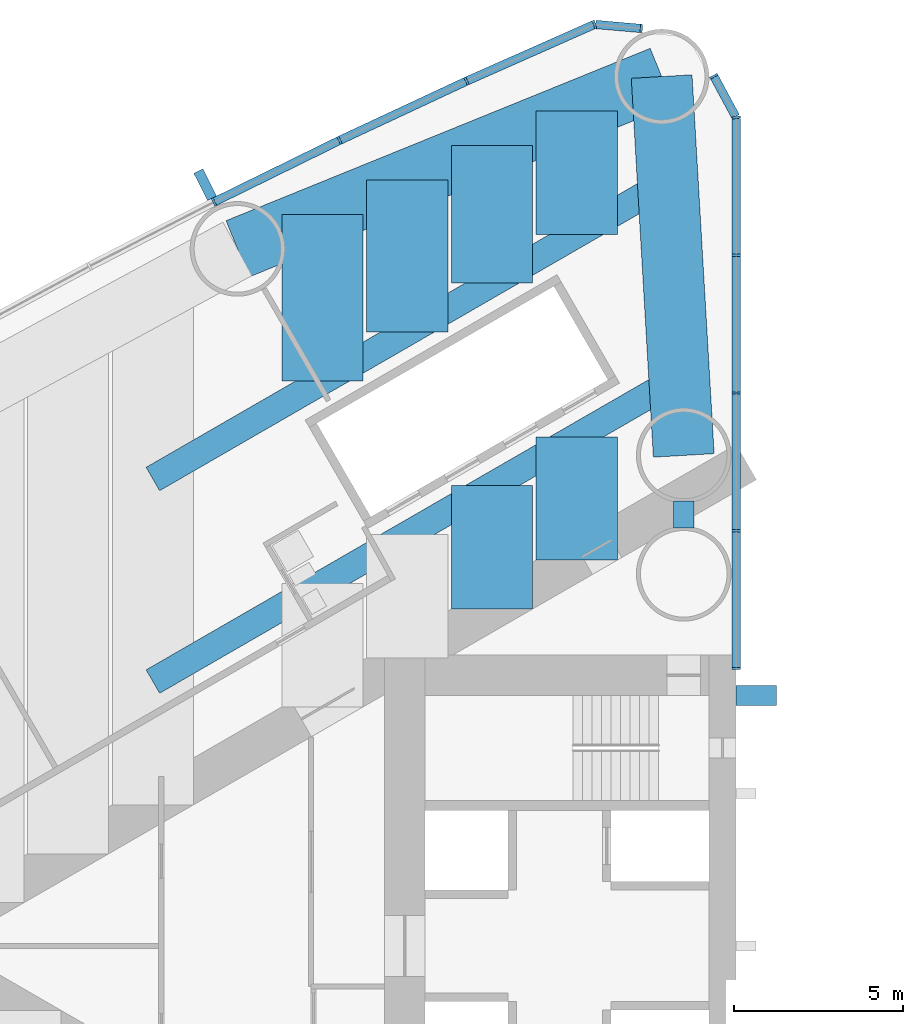
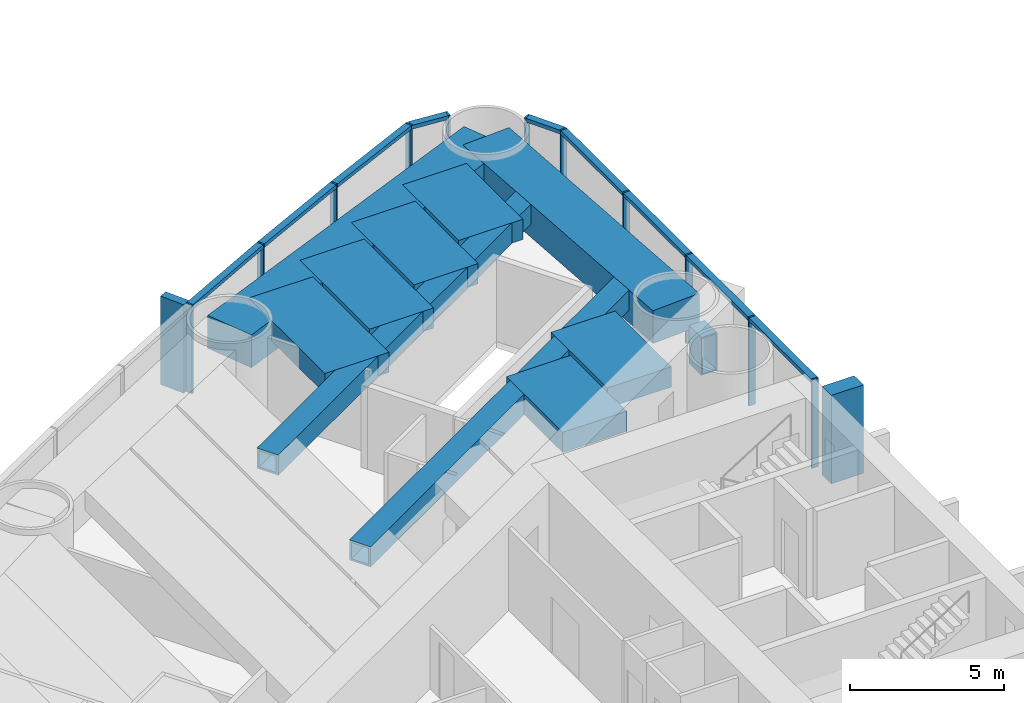
# One storey, part 5 of 19: 22 members, 11 beams, 2 elements without a shape of their own.
"""IFC4 building model written with IfcOpenShell, lengths in metres."""

from ifc_helpers import new_model, si_unit, direction, frame, origin, origin_2d, place, context, subcontext, project, spatial, rectangle, hollow_rectangle, extrude, material, material_profile, profile_set, type_object, element, aggregate, save


model = new_model("IFC4")

# Units and contexts
model_context = context("Model", 3, precision=1e-05, world=origin(), true_north=direction((0.0, 1.0)))
body_context = subcontext(model_context, "Body", "Model", "MODEL_VIEW")
ifc_project = project(units=[si_unit("LENGTHUNIT", "METRE"), si_unit("AREAUNIT", "SQUARE_METRE"), si_unit("VOLUMEUNIT", "CUBIC_METRE"), si_unit("PLANEANGLEUNIT", "RADIAN"), si_unit("MASSUNIT", "GRAM", prefix="KILO")], contexts=[model_context])

# Site, building, storey
site_placement = place(None, origin())
site = spatial("IfcSite", under=ifc_project, at=site_placement, CompositionType="ELEMENT")
building_placement = place(site_placement, origin())
building = spatial("IfcBuilding", under=site, at=building_placement, Name="Lancet Gate Hotel", CompositionType="ELEMENT")
storey_placement = place(building_placement, frame((0.0, 0.0, 35.5)))
storey = spatial("IfcBuildingStorey", under=building, at=storey_placement, Name="L08", CompositionType="ELEMENT", Elevation=35.5)

# Curtain wall, members
ifc_material_1 = material(Name="Aluminium curtain wall", Category="aluminium")
curtain_wall_type = type_object("IfcCurtainWallType", Name="Tower unitised curtain wall", PredefinedType="USERDEFINED", material=ifc_material_1)
curtain_wall_1_placement = place(storey_placement, origin())
curtain_wall_1 = element("IfcCurtainWall", 1, at=curtain_wall_1_placement, inside=storey, type_object=curtain_wall_type, Name="T1 L08 curtain wall 1", ObjectType="UNITISED CURTAIN WALL", PredefinedType="USERDEFINED")
ifc_material_2 = material(Name="Aluminium mullion", Category="aluminium")
ifc_material_profile_1 = material_profile(ifc_material_2, rectangle(XDim=0.06494140625, YDim=0.25, at=origin_2d()), Name="MULLION 65x250")
ifc_profile_set_1 = profile_set([ifc_material_profile_1], Name="Aluminium mullion")
member_type_1 = type_object("IfcMemberType", Name="Aluminium mullion 65x250", PredefinedType="MULLION", material=ifc_profile_set_1)
member_1_placement = place(storey_placement, frame((-27.5, 8.199951171875, 0.0), z_axis=(0.0, 0.0, 1.0), x_axis=(0.0, 1.0, 0.0)))
member_1 = element("IfcMember", 2, at=member_1_placement, type_object=member_type_1, Name="T1 L08 curtain wall 1 mullion 1", PredefinedType="MULLION", context=body_context, shape_type="SweptSolid", body=[
    extrude(rectangle(XDim=0.06494140625, YDim=0.25, at=origin_2d()), origin(), (0.0, 0.0, 1.0), 3.5),
])
member_2_placement = place(storey_placement, frame((-27.5, 12.272705078125, 0.0), z_axis=(0.0, 0.0, 1.0), x_axis=(0.0, 1.0, 0.0)))
member_2 = element("IfcMember", 3, at=member_2_placement, type_object=member_type_1, Name="T1 L08 curtain wall 1 mullion 2", PredefinedType="MULLION", context=body_context, shape_type="SweptSolid", body=[
    extrude(rectangle(XDim=0.06494140625, YDim=0.25, at=origin_2d()), origin(), (0.0, 0.0, 1.0), 3.5),
])
member_3_placement = place(storey_placement, frame((-27.5, 16.345703125, 0.0), z_axis=(0.0, 0.0, 1.0), x_axis=(0.0, 1.0, 0.0)))
member_3 = element("IfcMember", 4, at=member_3_placement, type_object=member_type_1, Name="T1 L08 curtain wall 1 mullion 3", PredefinedType="MULLION", context=body_context, shape_type="SweptSolid", body=[
    extrude(rectangle(XDim=0.06494140625, YDim=0.25, at=origin_2d()), origin(), (0.0, 0.0, 1.0), 3.5),
])
member_4_placement = place(storey_placement, frame((-27.5, 20.41845703125, 0.0), z_axis=(0.0, 0.0, 1.0), x_axis=(0.0, 1.0, 0.0)))
member_4 = element("IfcMember", 5, at=member_4_placement, type_object=member_type_1, Name="T1 L08 curtain wall 1 mullion 4", PredefinedType="MULLION", context=body_context, shape_type="SweptSolid", body=[
    extrude(rectangle(XDim=0.06494140625, YDim=0.25, at=origin_2d()), origin(), (0.0, 0.0, 1.0), 3.5),
])
member_5_placement = place(storey_placement, frame((-27.5, 24.4912109375, 0.0), z_axis=(0.0, 0.0, 1.0), x_axis=(-0.123482502544, 0.992346749662, 0.0)))
member_5 = element("IfcMember", 6, at=member_5_placement, type_object=member_type_1, Name="T1 L08 curtain wall 1 mullion 5", PredefinedType="MULLION", context=body_context, shape_type="SweptSolid", body=[
    extrude(rectangle(XDim=0.06494140625, YDim=0.25, at=origin_2d()), origin(), (0.0, 0.0, 1.0), 3.5),
])
member_6_placement = place(storey_placement, frame((-28.158935546875, 25.712890625, 0.0), z_axis=(0.0, 0.0, 1.0), x_axis=(-0.474631040972, 0.880184852714, 0.0)))
member_6 = element("IfcMember", 7, at=member_6_placement, type_object=member_type_1, Name="T1 L08 curtain wall 1 mullion 6", PredefinedType="MULLION", context=body_context, shape_type="SweptSolid", body=[
    extrude(rectangle(XDim=0.06494140625, YDim=0.25, at=origin_2d()), origin(), (0.0, 0.0, 1.0), 3.5),
])

curtain_wall_2_placement = place(storey_placement, origin())
curtain_wall_2 = element("IfcCurtainWall", 8, at=curtain_wall_2_placement, inside=storey, type_object=curtain_wall_type, Name="T1 L08 curtain wall 2", ObjectType="UNITISED CURTAIN WALL", PredefinedType="USERDEFINED")
member_7_placement = place(storey_placement, frame((-30.3046875, 27.124755859375, 0.0), z_axis=(0.0, 0.0, 1.0), x_axis=(-0.99620380374, 0.087051602022, 0.0)))
member_7 = element("IfcMember", 9, at=member_7_placement, type_object=member_type_1, Name="T1 L08 curtain wall 2 mullion 1", PredefinedType="MULLION", context=body_context, shape_type="SweptSolid", body=[
    extrude(rectangle(XDim=0.06494140625, YDim=0.25, at=origin_2d()), origin(), (0.0, 0.0, 1.0), 3.5),
])
member_8_placement = place(storey_placement, frame((-31.688720703125, 27.24560546875, 0.0), z_axis=(0.0, 0.0, 1.0), x_axis=(-0.957524354695, -0.288352406209, 0.0)))
member_8 = element("IfcMember", 10, at=member_8_placement, type_object=member_type_1, Name="T1 L08 curtain wall 2 mullion 2", PredefinedType="MULLION", context=body_context, shape_type="SweptSolid", body=[
    extrude(rectangle(XDim=0.06494140625, YDim=0.25, at=origin_2d()), origin(), (0.0, 0.0, 1.0), 3.5),
])
member_9_placement = place(storey_placement, frame((-35.473876953125, 25.568115234375, 0.0), z_axis=(0.0, 0.0, 1.0), x_axis=(-0.910219680212, -0.414125746308, 0.0)))
member_9 = element("IfcMember", 11, at=member_9_placement, type_object=member_type_1, Name="T1 L08 curtain wall 2 mullion 3", PredefinedType="MULLION", context=body_context, shape_type="SweptSolid", body=[
    extrude(rectangle(XDim=0.06494140625, YDim=0.25, at=origin_2d()), origin(), (0.0, 0.0, 1.0), 3.5),
])
member_10_placement = place(storey_placement, frame((-39.225341796875, 23.816650390625, 0.0), z_axis=(0.0, 0.0, 1.0), x_axis=(-0.901928838337, -0.431884672772, 0.0)))
member_10 = element("IfcMember", 12, at=member_10_placement, type_object=member_type_1, Name="T1 L08 curtain wall 2 mullion 4", PredefinedType="MULLION", context=body_context, shape_type="SweptSolid", body=[
    extrude(rectangle(XDim=0.06494140625, YDim=0.25, at=origin_2d()), origin(), (0.0, 0.0, 1.0), 3.5),
])
member_11_placement = place(storey_placement, frame((-42.94189453125, 21.991943359375, 0.0), z_axis=(0.0, 0.0, 1.0), x_axis=(-0.893291549794, -0.449477704748, 0.0)))
member_11 = element("IfcMember", 13, at=member_11_placement, type_object=member_type_1, Name="T1 L08 curtain wall 2 mullion 5", PredefinedType="MULLION", context=body_context, shape_type="SweptSolid", body=[
    extrude(rectangle(XDim=0.06494140625, YDim=0.25, at=origin_2d()), origin(), (0.0, 0.0, 1.0), 3.5),
])

# Member
ifc_material_3 = material(Name="Aluminium transom", Category="aluminium")
ifc_material_profile_2 = material_profile(ifc_material_3, rectangle(XDim=0.25, YDim=0.14990234375, at=origin_2d()), Name="TRANSOM 250x150")
ifc_profile_set_2 = profile_set([ifc_material_profile_2], Name="Aluminium transom")
member_type_2 = type_object("IfcMemberType", Name="Aluminium transom 250x150", PredefinedType="USERDEFINED", material=ifc_profile_set_2)
member_12_placement = place(storey_placement, frame((-27.5, 8.232421875, 3.425048828125), z_axis=(0.0, 1.0, 0.0), x_axis=(-1.0, 0.0, 0.0)))
member_12 = element("IfcMember", 14, at=member_12_placement, type_object=member_type_2, Name="T1 L08 curtain wall 1 transom 1", ObjectType="TRANSOM", PredefinedType="USERDEFINED", context=body_context, shape_type="SweptSolid", body=[
    extrude(rectangle(XDim=0.25, YDim=0.14990234375, at=origin_2d()), origin(), (0.0, 0.0, 1.0), 4.0078125),
])

member_13_placement = place(storey_placement, frame((-27.5, 12.30517578125, 3.425048828125), z_axis=(0.0, 1.0, 0.0), x_axis=(-1.0, 0.0, 0.0)))
member_13 = element("IfcMember", 15, at=member_13_placement, type_object=member_type_2, Name="T1 L08 curtain wall 1 transom 2", ObjectType="TRANSOM", PredefinedType="USERDEFINED", context=body_context, shape_type="SweptSolid", body=[
    extrude(rectangle(XDim=0.25, YDim=0.14990234375, at=origin_2d()), origin(), (0.0, 0.0, 1.0), 4.0078125),
])

member_14_placement = place(storey_placement, frame((-27.5, 16.378173828125, 3.425048828125), z_axis=(0.0, 1.0, 0.0), x_axis=(-1.0, 0.0, 0.0)))
member_14 = element("IfcMember", 16, at=member_14_placement, type_object=member_type_2, Name="T1 L08 curtain wall 1 transom 3", ObjectType="TRANSOM", PredefinedType="USERDEFINED", context=body_context, shape_type="SweptSolid", body=[
    extrude(rectangle(XDim=0.25, YDim=0.14990234375, at=origin_2d()), origin(), (0.0, 0.0, 1.0), 4.0078125),
])

member_15_placement = place(storey_placement, frame((-27.5, 20.450927734375, 3.425048828125), z_axis=(0.0, 1.0, 0.0), x_axis=(-1.0, 0.0, 0.0)))
member_15 = element("IfcMember", 17, at=member_15_placement, type_object=member_type_2, Name="T1 L08 curtain wall 1 transom 4", ObjectType="TRANSOM", PredefinedType="USERDEFINED", context=body_context, shape_type="SweptSolid", body=[
    extrude(rectangle(XDim=0.25, YDim=0.14990234375, at=origin_2d()), origin(), (0.0, 0.0, 1.0), 4.0078125),
])

member_16_placement = place(storey_placement, frame((-27.515380859375, 24.519775390625, 3.425048828125), z_axis=(-0.474605926905, 0.880198394765, 0.0), x_axis=(-0.880198394765, -0.474605926905, 0.0)))
member_16 = element("IfcMember", 18, at=member_16_placement, type_object=member_type_2, Name="T1 L08 curtain wall 1 transom 5", ObjectType="TRANSOM", PredefinedType="USERDEFINED", context=body_context, shape_type="SweptSolid", body=[
    extrude(rectangle(XDim=0.25, YDim=0.14990234375, at=origin_2d()), origin(), (0.0, 0.0, 1.0), 1.322998046875),
])

aggregate(curtain_wall_1, [member_1, member_2, member_3, member_4, member_5, member_6, member_12, member_13, member_14, member_15, member_16])

member_17_placement = place(storey_placement, frame((-30.337158203125, 27.127685546875, 3.425048828125), z_axis=(-0.99620591587, 0.087027427779, 0.0), x_axis=(-0.087027427779, -0.99620591587, 0.0)))
member_17 = element("IfcMember", 19, at=member_17_placement, type_object=member_type_2, Name="T1 L08 curtain wall 2 transom 1", ObjectType="TRANSOM", PredefinedType="USERDEFINED", context=body_context, shape_type="SweptSolid", body=[
    extrude(rectangle(XDim=0.25, YDim=0.14990234375, at=origin_2d()), origin(), (0.0, 0.0, 1.0), 1.32421875),
])

member_18_placement = place(storey_placement, frame((-31.71826171875, 27.232421875, 3.425048828125), z_axis=(-0.914248281954, -0.405154389022, 0.0), x_axis=(0.405154389022, -0.914248281954, 0.0)))
member_18 = element("IfcMember", 20, at=member_18_placement, type_object=member_type_2, Name="T1 L08 curtain wall 2 transom 2", ObjectType="TRANSOM", PredefinedType="USERDEFINED", context=body_context, shape_type="SweptSolid", body=[
    extrude(rectangle(XDim=0.25, YDim=0.14990234375, at=origin_2d()), origin(), (0.0, 0.0, 1.0), 4.0751953125),
])

member_19_placement = place(storey_placement, frame((-35.503173828125, 25.554443359375, 3.425048828125), z_axis=(-0.906109667261, -0.423042871228, 0.0), x_axis=(0.423042871228, -0.906109667261, 0.0)))
member_19 = element("IfcMember", 21, at=member_19_placement, type_object=member_type_2, Name="T1 L08 curtain wall 2 transom 3", ObjectType="TRANSOM", PredefinedType="USERDEFINED", context=body_context, shape_type="SweptSolid", body=[
    extrude(rectangle(XDim=0.25, YDim=0.14990234375, at=origin_2d()), origin(), (0.0, 0.0, 1.0), 4.075439453125),
])

member_20_placement = place(storey_placement, frame((-39.254638671875, 23.80224609375, 3.425048828125), z_axis=(-0.897662439958, -0.440683723194, 0.0), x_axis=(0.440683723194, -0.897662439958, 0.0)))
member_20 = element("IfcMember", 22, at=member_20_placement, type_object=member_type_2, Name="T1 L08 curtain wall 2 transom 4", ObjectType="TRANSOM", PredefinedType="USERDEFINED", context=body_context, shape_type="SweptSolid", body=[
    extrude(rectangle(XDim=0.25, YDim=0.14990234375, at=origin_2d()), origin(), (0.0, 0.0, 1.0), 4.0751953125),
])

# Beams
ifc_material_4 = material(Name="Concrete C50/60", Category="concrete")
ifc_material_profile_3 = material_profile(ifc_material_4, rectangle(XDim=1.800048828125, YDim=1.300048828125, at=origin_2d()), Name="RC 1800x1300")
ifc_profile_set_3 = profile_set([ifc_material_profile_3], Name="Concrete C50/60")
beam_type_1 = type_object("IfcBeamType", Name="Edge beam RC 1800x1300", PredefinedType="SPANDREL", material=ifc_profile_set_3)
beam_1_placement = place(storey_placement, frame((-29.703369140625, 25.70263671875, 2.60009765625), z_axis=(-0.926463236197, -0.376385270667, 0.0), x_axis=(0.376385270667, -0.926463236197, 0.0)))
element("IfcBeam", 23, at=beam_1_placement, inside=storey, type_object=beam_type_1, Name="T1 edge beam EB1 L08", PredefinedType="SPANDREL", context=body_context, shape_type="SweptSolid", body=[
    extrude(rectangle(XDim=1.800048828125, YDim=1.300048828125, at=origin_2d()), origin(), (0.0, 0.0, 1.0), 13.537353515625),
])
beam_2_placement = place(storey_placement, frame((-29.703369140625, 25.70263671875, 2.60009765625), z_axis=(0.058219521912, -0.998303805096, 0.0), x_axis=(0.998303805096, 0.058219521912, 0.0)))
element("IfcBeam", 24, at=beam_2_placement, inside=storey, type_object=beam_type_1, Name="T1 edge beam EB1 L08", PredefinedType="SPANDREL", context=body_context, shape_type="SweptSolid", body=[
    extrude(rectangle(XDim=1.800048828125, YDim=1.300048828125, at=origin_2d()), origin(), (0.0, 0.0, 1.0), 11.2216796875),
])

# Member
ifc_material_5 = material(Name="Concrete C60/75", Category="concrete")
ifc_material_profile_4 = material_profile(ifc_material_5, rectangle(XDim=0.60009765625, YDim=1.199951171875, at=origin_2d()), Name="FIN 600x1200")
ifc_profile_set_4 = profile_set([ifc_material_profile_4], Name="Concrete C60/75")
member_type_3 = type_object("IfcMemberType", Name="Exposed concrete buttress pilaster 600x1200", PredefinedType="USERDEFINED", material=ifc_profile_set_4)
member_21_placement = place(storey_placement, frame((-26.909912109375, 7.39990234375, 0.0), z_axis=(0.0, 0.0, 1.0), x_axis=(0.0, 1.0, 0.0)))
element("IfcMember", 25, at=member_21_placement, inside=storey, type_object=member_type_3, Name="T1 buttress pilaster S L08", ObjectType="FIN", PredefinedType="USERDEFINED", context=body_context, shape_type="SweptSolid", body=[
    extrude(rectangle(XDim=0.60009765625, YDim=1.199951171875, at=origin_2d()), origin(), (0.0, 0.0, 1.0), 3.5),
])

ifc_material_6 = material(Name="Precast concrete C50/60", Category="concrete")
ifc_material_profile_5 = material_profile(ifc_material_6, rectangle(XDim=0.300048828125, YDim=0.89990234375, at=origin_2d()), Name="FIN 300x900")
ifc_profile_set_5 = profile_set([ifc_material_profile_5], Name="Precast concrete C50/60")
member_type_4 = type_object("IfcMemberType", Name="Exposed concrete fin 300x900", PredefinedType="USERDEFINED", material=ifc_profile_set_5)
member_22_placement = place(storey_placement, frame((-43.200439453125, 22.505615234375, 0.0), z_axis=(0.0, 0.0, 1.0), x_axis=(-0.893291549794, -0.449477704748, 0.0)))
member_22 = element("IfcMember", 26, at=member_22_placement, type_object=member_type_4, Name="T1 L08 curtain wall 2 fin 5", ObjectType="FIN", PredefinedType="USERDEFINED", context=body_context, shape_type="SweptSolid", body=[
    extrude(rectangle(XDim=0.300048828125, YDim=0.89990234375, at=origin_2d()), origin(), (0.0, 0.0, 1.0), 3.5),
])

aggregate(curtain_wall_2, [member_7, member_8, member_9, member_10, member_11, member_22, member_17, member_18, member_19, member_20])

# Beams
ifc_material_7 = material(Name="Concrete C50/60", Category="concrete")
ifc_material_profile_6 = material_profile(ifc_material_7, rectangle(XDim=2.39990234375, YDim=0.800048828125, at=origin_2d()), Name="RC 2400x800")
ifc_profile_set_6 = profile_set([ifc_material_profile_6], Name="Concrete C50/60")
beam_type_2 = type_object("IfcBeamType", Name="Floor beam RC 2400x800", PredefinedType="BEAM", material=ifc_profile_set_6)
beam_3_placement = place(storey_placement, frame((-32.213623046875, 24.682861328125, 2.85009765625), z_axis=(0.0, -1.0, 0.0), x_axis=(1.0, 0.0, 0.0)))
element("IfcBeam", 27, at=beam_3_placement, inside=storey, type_object=beam_type_2, Name="T1 floor beam F02SA L08", PredefinedType="BEAM", context=body_context, shape_type="SweptSolid", body=[
    extrude(rectangle(XDim=2.39990234375, YDim=0.800048828125, at=origin_2d()), origin(), (0.0, 0.0, 1.0), 3.643798828125),
])
beam_4_placement = place(storey_placement, frame((-32.213623046875, 15.051025390625, 2.85009765625), z_axis=(0.0, -1.0, 0.0), x_axis=(1.0, 0.0, 0.0)))
element("IfcBeam", 28, at=beam_4_placement, inside=storey, type_object=beam_type_2, Name="T1 floor beam F02SB L08", PredefinedType="BEAM", context=body_context, shape_type="SweptSolid", body=[
    extrude(rectangle(XDim=2.39990234375, YDim=0.800048828125, at=origin_2d()), origin(), (0.0, 0.0, 1.0), 3.645751953125),
])
beam_5_placement = place(storey_placement, frame((-34.720458984375, 23.664306640625, 2.85009765625), z_axis=(0.0, -1.0, 0.0), x_axis=(1.0, 0.0, 0.0)))
element("IfcBeam", 29, at=beam_5_placement, inside=storey, type_object=beam_type_2, Name="T1 floor beam F04SA L08", PredefinedType="BEAM", context=body_context, shape_type="SweptSolid", body=[
    extrude(rectangle(XDim=2.39990234375, YDim=0.800048828125, at=origin_2d()), origin(), (0.0, 0.0, 1.0), 4.07275390625),
])
beam_6_placement = place(storey_placement, frame((-34.720458984375, 13.603759765625, 2.85009765625), z_axis=(0.0, -1.0, 0.0), x_axis=(1.0, 0.0, 0.0)))
element("IfcBeam", 30, at=beam_6_placement, inside=storey, type_object=beam_type_2, Name="T1 floor beam F04SB L08", PredefinedType="BEAM", context=body_context, shape_type="SweptSolid", body=[
    extrude(rectangle(XDim=2.39990234375, YDim=0.800048828125, at=origin_2d()), origin(), (0.0, 0.0, 1.0), 3.645751953125),
])
beam_7_placement = place(storey_placement, frame((-37.227294921875, 22.64599609375, 2.85009765625), z_axis=(0.0, -1.0, 0.0), x_axis=(1.0, 0.0, 0.0)))
element("IfcBeam", 31, at=beam_7_placement, inside=storey, type_object=beam_type_2, Name="T1 floor beam F05SA L08", PredefinedType="BEAM", context=body_context, shape_type="SweptSolid", body=[
    extrude(rectangle(XDim=2.39990234375, YDim=0.800048828125, at=origin_2d()), origin(), (0.0, 0.0, 1.0), 4.501953125),
])
beam_8_placement = place(storey_placement, frame((-39.734130859375, 21.627685546875, 2.85009765625), z_axis=(0.0, -1.0, 0.0), x_axis=(1.0, 0.0, 0.0)))
element("IfcBeam", 32, at=beam_8_placement, inside=storey, type_object=beam_type_2, Name="T1 floor beam F07SA L08", PredefinedType="BEAM", context=body_context, shape_type="SweptSolid", body=[
    extrude(rectangle(XDim=2.39990234375, YDim=0.800048828125, at=origin_2d()), origin(), (0.0, 0.0, 1.0), 4.93115234375),
])
ifc_material_8 = material(Name="Steel S460QL", Category="steel")
ifc_material_profile_7 = material_profile(ifc_material_8, hollow_rectangle(XDim=0.60009765625, YDim=1.5, WallThickness=0.050048828125, at=origin_2d()), Name="BOX 1500x600x50")
ifc_profile_set_7 = profile_set([ifc_material_profile_7], Name="Steel S460QL")
beam_type_3 = type_object("IfcBeamType", Name="Inner-face link beam BOX 1500x600x50", PredefinedType="BEAM", material=ifc_profile_set_7)
beam_9_placement = place(storey_placement, frame((-29.050048828125, 13.14990234375, 2.5), z_axis=(0.0, -1.0, 0.0), x_axis=(1.0, 0.0, 0.0)))
element("IfcBeam", 33, at=beam_9_placement, inside=storey, type_object=beam_type_3, Name="T1 inner-face link beam LK1 L08", PredefinedType="BEAM", context=body_context, shape_type="SweptSolid", body=[
    extrude(hollow_rectangle(XDim=0.60009765625, YDim=1.5, WallThickness=0.050048828125, at=origin_2d()), origin(), (0.0, 0.0, 1.0), 0.7998046875),
])
ifc_material_9 = material(Name="Steel S460QL", Category="steel")
ifc_material_profile_8 = material_profile(ifc_material_9, hollow_rectangle(XDim=0.800048828125, YDim=0.800048828125, WallThickness=0.080078125, at=origin_2d()), Name="BOX 800x800x80")
ifc_profile_set_8 = profile_set([ifc_material_profile_8], Name="Steel S460QL")
beam_type_4 = type_object("IfcBeamType", Name="Trimmer beam BOX 800x800x80", PredefinedType="BEAM", material=ifc_profile_set_8)
beam_10_placement = place(storey_placement, frame((-29.18408203125, 16.800537109375, 2.85009765625), z_axis=(-0.865998945969, -0.500045823481, 0.0), x_axis=(0.500045823481, -0.865998945969, 0.0)))
element("IfcBeam", 34, at=beam_10_placement, inside=storey, type_object=beam_type_4, Name="T1 trimmer beam TR01S L08", PredefinedType="BEAM", context=body_context, shape_type="SweptSolid", body=[
    extrude(hollow_rectangle(XDim=0.800048828125, YDim=0.800048828125, WallThickness=0.080078125, at=origin_2d()), origin(), (0.0, 0.0, 1.0), 17.971923828125),
])
beam_11_placement = place(storey_placement, frame((-29.52197265625, 22.59326171875, 2.85009765625), z_axis=(-0.866004054636, -0.500036975987, 0.0), x_axis=(0.500036975987, -0.866004054636, 0.0)))
element("IfcBeam", 35, at=beam_11_placement, inside=storey, type_object=beam_type_4, Name="T1 trimmer beam TR02S L08", PredefinedType="BEAM", context=body_context, shape_type="SweptSolid", body=[
    extrude(hollow_rectangle(XDim=0.800048828125, YDim=0.800048828125, WallThickness=0.080078125, at=origin_2d()), origin(), (0.0, 0.0, 1.0), 17.581787109375),
])

save(model, "model.ifc")
